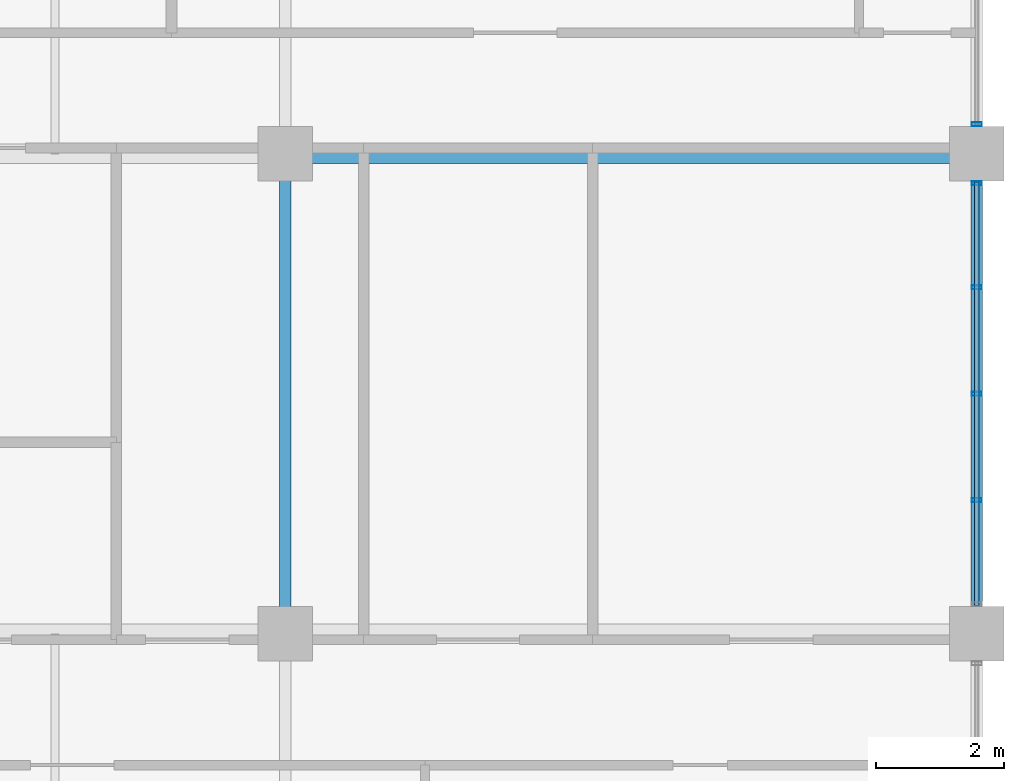
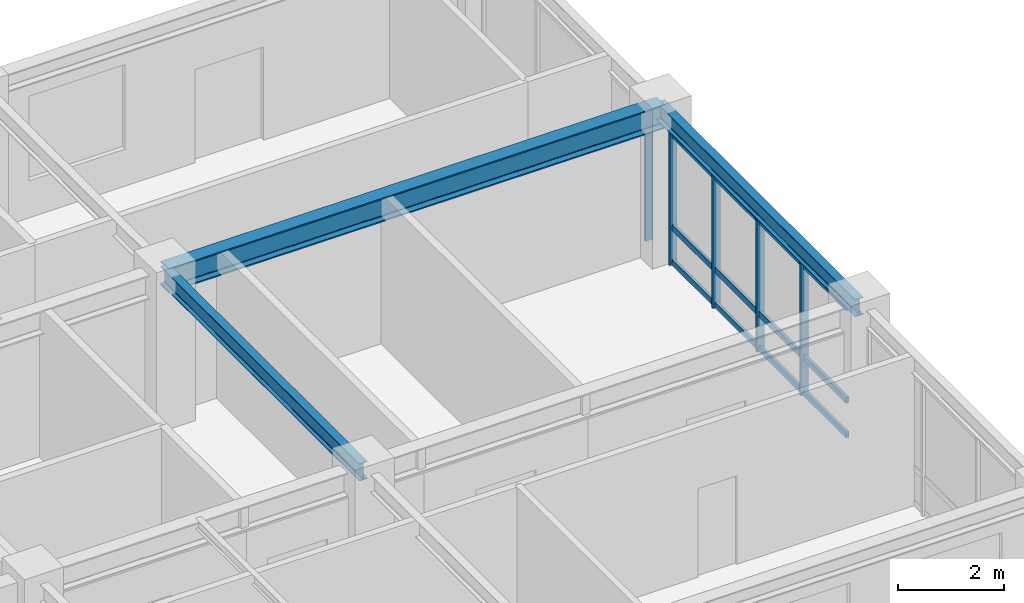
# One storey, part 3 of 11: 8 members, 3 beams, 2 elements without a shape of their own.
"""IFC4 building model written with IfcOpenShell, lengths in metres."""

from ifc_helpers import new_model, si_unit, direction, frame, origin, origin_2d, place, context, subcontext, project, spatial, hollow_rectangle, i_section, extrude, source, transform, mapped, material, layer, layer_set, material_profile, profile_set, type_object, element, aggregate, save


model = new_model("IFC4")

# Units and contexts
model_context = context("Model", 3, precision=1e-05, world=origin(), true_north=direction((0.0, 1.0)))
body_context = subcontext(model_context, "Body", "Model", "MODEL_VIEW")
ifc_project = project(units=[si_unit("LENGTHUNIT", "METRE"), si_unit("AREAUNIT", "SQUARE_METRE"), si_unit("VOLUMEUNIT", "CUBIC_METRE"), si_unit("PLANEANGLEUNIT", "RADIAN"), si_unit("MASSUNIT", "GRAM", prefix="KILO")], contexts=[model_context])

# Site, building, storey
site_placement = place(None, origin())
site = spatial("IfcSite", under=ifc_project, at=site_placement, CompositionType="ELEMENT")
building_placement = place(site_placement, origin())
building = spatial("IfcBuilding", under=site, at=building_placement, Name="Kaliganga Portal Commons", CompositionType="ELEMENT")
storey_placement = place(building_placement, frame((0.0, 0.0, 272.10009765625)))
storey = spatial("IfcBuildingStorey", under=building, at=storey_placement, Name="L70", CompositionType="ELEMENT", Elevation=272.10009765625)

# Beams
ifc_material_1 = material(Name="Structural steel S355J2", Category="steel")
ifc_material_profile_1 = material_profile(ifc_material_1, i_section(OverallWidth=0.300048828125, OverallDepth=0.550048828125, WebThickness=0.014892578125, FlangeThickness=0.029052734375, FilletRadius=0.027099609375, at=origin_2d()), Name="HE 550 B")
ifc_profile_set_1 = profile_set([ifc_material_profile_1], Name="Structural steel S355J2 wide-flange")
beam_type_1 = type_object("IfcBeamType", Name="BM-GIRD-550", PredefinedType="USERDEFINED", material=ifc_profile_set_1)
shared_shape_1 = source(origin(), body_context, "Body", "SweptSolid", [
    extrude(i_section(OverallWidth=0.300048828125, OverallDepth=0.550048828125, WebThickness=0.014892578125, FlangeThickness=0.029052734375, FilletRadius=0.027099609375, at=origin_2d()), origin(), (0.0, 0.0, 1.0), 10.800048828125),
])
beam_placement = place(storey_placement, frame((36.0, 36.14990234375, 3.199951171875), z_axis=(1.0, 0.0, 0.0), x_axis=(0.0, 1.0, 0.0)))
element("IfcBeam", 1, at=beam_placement, inside=storey, type_object=beam_type_1, Name="BM G L70 WAE_N 2", ObjectType="GIRDER", PredefinedType="USERDEFINED", context=body_context, shape_type="MappedRepresentation", body=[
    mapped(shared_shape_1, transform((0.0, 0.0, 0.0), x_axis=(1.0, 0.0, 0.0), y_axis=(0.0, 1.0, 0.0), z_axis=(0.0, 0.0, 1.0), scale=1.0)),
])
ifc_material_profile_2 = material_profile(ifc_material_1, i_section(OverallWidth=0.179931640625, OverallDepth=0.39990234375, WebThickness=0.008544921875, FlangeThickness=0.013427734375, FilletRadius=0.02099609375, at=origin_2d()), Name="IPE 400")
ifc_profile_set_2 = profile_set([ifc_material_profile_2], Name="Structural steel S355J2 wide-flange")
beam_type_2 = type_object("IfcBeamType", Name="BM-FLR-400", PredefinedType="BEAM", material=ifc_profile_set_2)
shared_shape_2 = source(origin(), body_context, "Body", "SweptSolid", [
    extrude(i_section(OverallWidth=0.179931640625, OverallDepth=0.39990234375, WebThickness=0.008544921875, FlangeThickness=0.013427734375, FilletRadius=0.02099609375, at=origin_2d()), origin(), (0.0, 0.0, 1.0), 7.5),
])
for number, where, z_axis, x_axis, name in (
    (2, (36.0, 28.64990234375, 3.27490234375), (0.0, 1.0, 0.0), (-1.0, 0.0, 0.0), "BM G L70 AM360"),
    (3, (46.800048828125, 28.64990234375, 3.27490234375), (0.0, 1.0, 0.0), (-1.0, 0.0, 0.0), "BM G L70 AM468"),
):
    element("IfcBeam", number, at=place(storey_placement, frame(where, z_axis=z_axis, x_axis=x_axis)), inside=storey, type_object=beam_type_2, Name=name, PredefinedType="BEAM", context=body_context, shape_type="MappedRepresentation", body=[
        mapped(shared_shape_2, transform((0.0, 0.0, 0.0), x_axis=(1.0, 0.0, 0.0), y_axis=(0.0, 1.0, 0.0), z_axis=(0.0, 0.0, 1.0), scale=1.0)),
    ])

# Curtain wall, members
ifc_material_2 = material(Name="Anodized Aluminium and Laminated Low-E Glass", Category="aluminium")
ifc_layer = layer(ifc_material_2, 0.18994140625)
ifc_layer_set = layer_set([ifc_layer], Name="Anodized Aluminium and Laminated Low-E Glass")
curtain_wall_type = type_object("IfcCurtainWallType", Name="CW-SYS-05", PredefinedType="NOTDEFINED", material=ifc_layer_set)
curtain_wall_1_placement = place(storey_placement, origin())
curtain_wall_1 = element("IfcCurtainWall", 4, at=curtain_wall_1_placement, inside=storey, type_object=curtain_wall_type, Name="CW 05 L70 P1E01S2", PredefinedType="NOTDEFINED")
ifc_material_3 = material(Name="Dark Bronze Anodized Aluminium", Category="aluminium")
ifc_material_profile_3 = material_profile(ifc_material_3, hollow_rectangle(XDim=0.06005859375, YDim=0.159912109375, WallThickness=0.00341796875, at=origin_2d()), Name="ALU MULL 60x160x3.5")
ifc_profile_set_3 = profile_set([ifc_material_profile_3], Name="Dark Bronze Anodized Aluminium")
member_type_1 = type_object("IfcMemberType", Name="CW-MUL-160", PredefinedType="MULLION", material=ifc_profile_set_3)
shared_shape_3 = source(origin(), body_context, "Body", "SweptSolid", [
    extrude(hollow_rectangle(XDim=0.06005859375, YDim=0.159912109375, WallThickness=0.00341796875, at=origin_2d()), origin(), (0.0, 0.0, 1.0), 3.074951171875),
])
member_1_placement = place(storey_placement, frame((46.800048828125, 30.738037109375, 0.0), z_axis=(0.0, 0.0, 1.0), x_axis=(0.0, 1.0, 0.0)))
member_1 = element("IfcMember", 5, at=member_1_placement, type_object=member_type_1, Name="CW:05:L70:P1E01S2 Mullion 01", PredefinedType="MULLION", context=body_context, shape_type="MappedRepresentation", body=[
    mapped(shared_shape_3, transform((0.0, 0.0, 0.0), x_axis=(1.0, 0.0, 0.0), y_axis=(0.0, 1.0, 0.0), z_axis=(0.0, 0.0, 1.0), scale=1.0)),
])
member_2_placement = place(storey_placement, frame((46.800048828125, 32.39990234375, 0.0), z_axis=(0.0, 0.0, 1.0), x_axis=(0.0, 1.0, 0.0)))
member_2 = element("IfcMember", 6, at=member_2_placement, type_object=member_type_1, Name="CW:05:L70:P1E01S2 Mullion 02", PredefinedType="MULLION", context=body_context, shape_type="MappedRepresentation", body=[
    mapped(shared_shape_3, transform((0.0, 0.0, 0.0), x_axis=(1.0, 0.0, 0.0), y_axis=(0.0, 1.0, 0.0), z_axis=(0.0, 0.0, 1.0), scale=1.0)),
])
member_3_placement = place(storey_placement, frame((46.800048828125, 34.06201171875, 0.0), z_axis=(0.0, 0.0, 1.0), x_axis=(0.0, 1.0, 0.0)))
member_3 = element("IfcMember", 7, at=member_3_placement, type_object=member_type_1, Name="CW:05:L70:P1E01S2 Mullion 03", PredefinedType="MULLION", context=body_context, shape_type="MappedRepresentation", body=[
    mapped(shared_shape_3, transform((0.0, 0.0, 0.0), x_axis=(1.0, 0.0, 0.0), y_axis=(0.0, 1.0, 0.0), z_axis=(0.0, 0.0, 1.0), scale=1.0)),
])
member_4_placement = place(storey_placement, frame((46.800048828125, 35.68896484375, 0.0), z_axis=(0.0, 0.0, 1.0), x_axis=(0.0, 1.0, 0.0)))
member_4 = element("IfcMember", 8, at=member_4_placement, type_object=member_type_1, Name="CW:05:L70:P1E01S2 Mullion 04", PredefinedType="MULLION", context=body_context, shape_type="MappedRepresentation", body=[
    mapped(shared_shape_3, transform((0.0, 0.0, 0.0), x_axis=(1.0, 0.0, 0.0), y_axis=(0.0, 1.0, 0.0), z_axis=(0.0, 0.0, 1.0), scale=1.0)),
])

# Curtain wall, member
curtain_wall_2_placement = place(storey_placement, origin())
curtain_wall_2 = element("IfcCurtainWall", 9, at=curtain_wall_2_placement, inside=storey, type_object=curtain_wall_type, Name="CW 05 L70 P1E01S3", PredefinedType="NOTDEFINED")
member_5_placement = place(storey_placement, frame((46.800048828125, 36.611083984375, 0.0), z_axis=(0.0, 0.0, 1.0), x_axis=(0.0, 1.0, 0.0)))
member_5 = element("IfcMember", 10, at=member_5_placement, type_object=member_type_1, Name="CW:05:L70:P1E01S3 Mullion 00", PredefinedType="MULLION", context=body_context, shape_type="MappedRepresentation", body=[
    mapped(shared_shape_3, transform((0.0, 0.0, 0.0), x_axis=(1.0, 0.0, 0.0), y_axis=(0.0, 1.0, 0.0), z_axis=(0.0, 0.0, 1.0), scale=1.0)),
])
aggregate(curtain_wall_2, [member_5])

# Member
ifc_material_profile_4 = material_profile(ifc_material_3, hollow_rectangle(XDim=0.06494140625, YDim=0.135009765625, WallThickness=0.00341796875, at=origin_2d()), Name="ALU TRAN 65x135x3.5")
ifc_profile_set_4 = profile_set([ifc_material_profile_4], Name="Dark Bronze Anodized Aluminium")
member_type_2 = type_object("IfcMemberType", Name="CW-TRN-135", PredefinedType="USERDEFINED", material=ifc_profile_set_4)
shared_shape_4 = source(origin(), body_context, "Body", "SweptSolid", [
    extrude(hollow_rectangle(XDim=0.06494140625, YDim=0.135009765625, WallThickness=0.00341796875, at=origin_2d()), origin(), (0.0, 0.0, 1.0), 6.608154296875),
])
member_6_placement = place(storey_placement, frame((46.800048828125, 29.095947265625, 0.059814453125), z_axis=(0.0, 1.0, 0.0), x_axis=(-1.0, 0.0, 0.0)))
member_6 = element("IfcMember", 11, at=member_6_placement, type_object=member_type_2, Name="CW:05:L70:P1E01S2 Transom 1", ObjectType="TRANSOM", PredefinedType="USERDEFINED", context=body_context, shape_type="MappedRepresentation", body=[
    mapped(shared_shape_4, transform((0.0, 0.0, 0.0), x_axis=(1.0, 0.0, 0.0), y_axis=(0.0, 1.0, 0.0), z_axis=(0.0, 0.0, 1.0), scale=1.0)),
])

member_7_placement = place(storey_placement, frame((46.800048828125, 29.095947265625, 0.86083984375), z_axis=(0.0, 1.0, 0.0), x_axis=(-1.0, 0.0, 0.0)))
member_7 = element("IfcMember", 12, at=member_7_placement, type_object=member_type_2, Name="CW:05:L70:P1E01S2 Transom 2", ObjectType="TRANSOM", PredefinedType="USERDEFINED", context=body_context, shape_type="MappedRepresentation", body=[
    mapped(shared_shape_4, transform((0.0, 0.0, 0.0), x_axis=(1.0, 0.0, 0.0), y_axis=(0.0, 1.0, 0.0), z_axis=(0.0, 0.0, 1.0), scale=1.0)),
])

member_8_placement = place(storey_placement, frame((46.800048828125, 29.095947265625, 2.994873046875), z_axis=(0.0, 1.0, 0.0), x_axis=(-1.0, 0.0, 0.0)))
member_8 = element("IfcMember", 13, at=member_8_placement, type_object=member_type_2, Name="CW:05:L70:P1E01S2 Transom 3", ObjectType="TRANSOM", PredefinedType="USERDEFINED", context=body_context, shape_type="MappedRepresentation", body=[
    mapped(shared_shape_4, transform((0.0, 0.0, 0.0), x_axis=(1.0, 0.0, 0.0), y_axis=(0.0, 1.0, 0.0), z_axis=(0.0, 0.0, 1.0), scale=1.0)),
])

aggregate(curtain_wall_1, [member_1, member_2, member_3, member_4, member_6, member_7, member_8])

save(model, "model.ifc")
